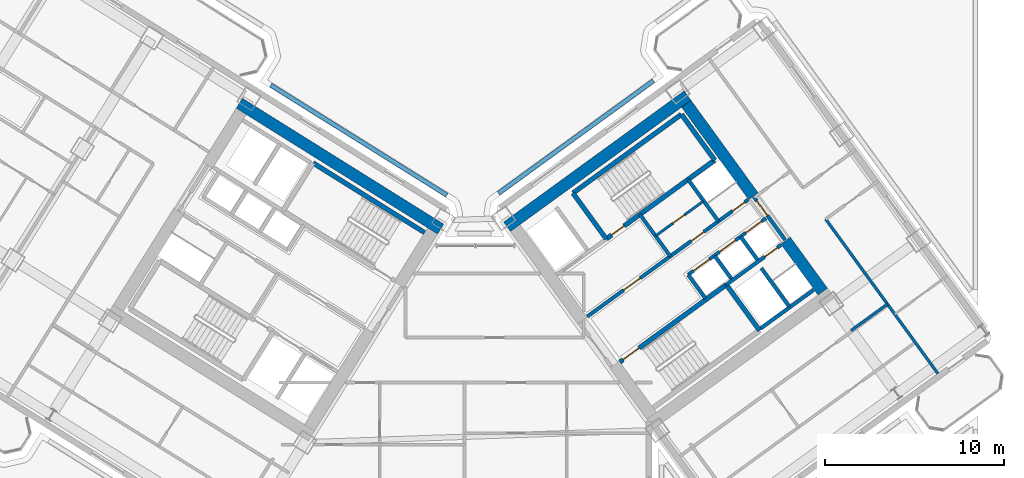
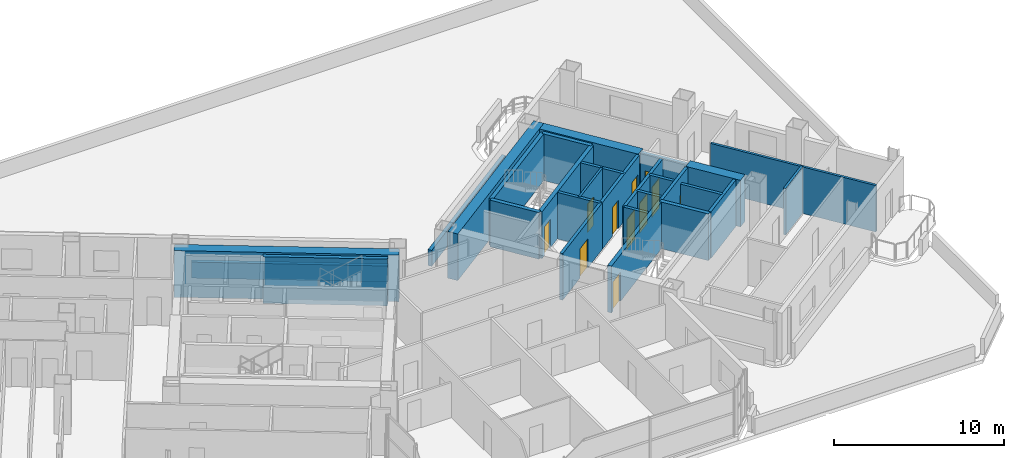
# One storey, part 19 of 28: 28 walls, 11 doors, 11 openings.
"""IFC4 building model written with IfcOpenShell, lengths in metres."""

from ifc_helpers import new_model, si_unit, direction, frame, frame_2d, origin, place, context, subcontext, project, spatial, rectangle, extrude, source, transform, mapped, material, layer, layer_set, type_object, element, fill, save


model = new_model("IFC4")

# Units and contexts
model_context = context("Model", 3, precision=1e-05, world=origin(), true_north=direction((0.0, 1.0)))
body_context = subcontext(model_context, "Body", "Model", "MODEL_VIEW")
ifc_project = project(units=[si_unit("LENGTHUNIT", "METRE"), si_unit("AREAUNIT", "SQUARE_METRE"), si_unit("VOLUMEUNIT", "CUBIC_METRE"), si_unit("PLANEANGLEUNIT", "RADIAN"), si_unit("MASSUNIT", "GRAM", prefix="KILO")], contexts=[model_context])

# Site, building, storey
site_placement = place(None, origin())
site = spatial("IfcSite", under=ifc_project, at=site_placement, CompositionType="ELEMENT")
building_placement = place(site_placement, origin())
building = spatial("IfcBuilding", under=site, at=building_placement, Name="Tlacorven Tower", CompositionType="ELEMENT")
storey_placement = place(building_placement, frame((0.0, 0.0, 24.0)))
storey = spatial("IfcBuildingStorey", under=building, at=storey_placement, Name="L05", CompositionType="ELEMENT", Elevation=24.0)

# Walls
ifc_material_1 = material(Name="Concrete C60/75", Category="concrete")
ifc_layer_1 = layer(ifc_material_1, 0.64990234375)
ifc_layer_set_1 = layer_set([ifc_layer_1], Name="Concrete C60/75")
wall_type_1 = type_object("IfcWallType", Name="WL-COR-650", PredefinedType="SHEAR", material=ifc_layer_set_1)
wall_1_placement = place(storey_placement, frame((40.615478515625, 23.9833984375, 0.0), z_axis=(0.0, 0.0, 1.0), x_axis=(-0.848045953968, 0.529922692436, 0.0)))
element("IfcWall", 1, at=wall_1_placement, inside=storey, type_object=wall_type_1, Name="L05 W core shear wall S1", PredefinedType="SHEAR", context=body_context, shape_type="SweptSolid", body=[
    extrude(rectangle(XDim=13.239990234375, YDim=0.64990234375, at=frame_2d((6.6201171875, 0.0))), origin(), (0.0, 0.0, 1.0), 3.35009765625),
])
wall_2_placement = place(storey_placement, frame((44.32470703125, 24.113037109375, 0.0), z_axis=(0.0, 0.0, 1.0), x_axis=(0.809012664862, 0.58779121131, 0.0)))
element("IfcWall", 2, at=wall_2_placement, inside=storey, type_object=wall_type_1, Name="L05 E core shear wall S2", PredefinedType="SHEAR", context=body_context, shape_type="SweptSolid", body=[
    extrude(rectangle(XDim=12.439697265625, YDim=0.64990234375, at=frame_2d((6.2197265625, 0.0))), origin(), (0.0, 0.0, 1.0), 3.35009765625),
])
wall_3_placement = place(storey_placement, frame((61.9287109375, 20.494384765625, 0.0), z_axis=(0.0, 0.0, 1.0), x_axis=(-0.58782982593, 0.808984607855, 0.0)))
element("IfcWall", 3, at=wall_3_placement, inside=storey, type_object=wall_type_1, Name="L05 E core end wall E2.1", PredefinedType="SHEAR", context=body_context, shape_type="SweptSolid", body=[
    extrude(rectangle(XDim=3.52490234375, YDim=0.64990234375, at=frame_2d((1.762451171875, 0.0))), origin(), (0.0, 0.0, 1.0), 3.35009765625),
])
wall_4_placement = place(storey_placement, frame((58.06396484375, 25.8134765625, 0.0), z_axis=(0.0, 0.0, 1.0), x_axis=(-0.58777996584, 0.809020835181, 0.0)))
element("IfcWall", 4, at=wall_4_placement, inside=storey, type_object=wall_type_1, Name="L05 E core end wall E2.2", PredefinedType="SHEAR", context=body_context, shape_type="SweptSolid", body=[
    extrude(rectangle(XDim=6.375, YDim=0.64990234375, at=frame_2d((3.1875, 0.0))), origin(), (0.0, 0.0, 1.0), 3.35009765625),
])
ifc_material_2 = material(Name="Gypsum plasterboard acoustic partition", Category="gypsum")
ifc_layer_2 = layer(ifc_material_2, 0.159912109375)
ifc_layer_set_2 = layer_set([ifc_layer_2], Name="Gypsum plasterboard acoustic partition")
wall_type_2 = type_object("IfcWallType", Name="WL-DEM-160", PredefinedType="PARTITIONING", material=ifc_layer_set_2)
wall_5_placement = place(storey_placement, frame((63.5068359375, 18.322021484375, 0.0), z_axis=(0.0, 0.0, 1.0), x_axis=(0.809034604122, 0.587761013791, 0.0)))
element("IfcWall", 5, at=wall_5_placement, inside=storey, type_object=wall_type_2, Name="L05 partition 90", PredefinedType="PARTITIONING", context=body_context, shape_type="SweptSolid", body=[
    extrude(rectangle(XDim=2.510009765625, YDim=0.159912109375, at=frame_2d((1.2548828125, 0.0))), origin(), (0.0, 0.0, 1.0), 3.340087890625),
])
wall_6_placement = place(storey_placement, frame((68.35302734375, 15.922119140625, 0.0), z_axis=(0.0, 0.0, 1.0), x_axis=(-0.587783168305, 0.809018508476, 0.0)))
element("IfcWall", 6, at=wall_6_placement, inside=storey, type_object=wall_type_2, Name="L05 partition 92", PredefinedType="PARTITIONING", context=body_context, shape_type="SweptSolid", body=[
    extrude(rectangle(XDim=10.650146484375, YDim=0.159912109375, at=frame_2d((5.3251953125, 0.0))), origin(), (0.0, 0.0, 1.0), 3.340087890625),
])
ifc_material_3 = material(Name="Precast concrete C45/55", Category="concrete")
ifc_layer_3 = layer(ifc_material_3, 0.239990234375)
ifc_layer_set_3 = layer_set([ifc_layer_3], Name="Precast concrete C45/55")
wall_type_3 = type_object("IfcWallType", Name="WL-PAR-240", PredefinedType="PARAPET", material=ifc_layer_set_3)
wall_7_placement = place(storey_placement, frame((52.483154296875, 32.2529296875, 0.0), z_axis=(0.0, 0.0, 1.0), x_axis=(-0.809025796011, -0.58777313769, 0.0)))
element("IfcWall", 7, at=wall_7_placement, inside=storey, type_object=wall_type_3, Name="L05 Podium Setback Parapet 1 10", PredefinedType="PARAPET", context=body_context, shape_type="SweptSolid", body=[
    extrude(rectangle(XDim=10.673583984375, YDim=0.239990234375, at=frame_2d((5.3369140625, 0.0))), origin(), (0.0, 0.0, 1.0), 1.14990234375),
])
wall_8_placement = place(storey_placement, frame((40.9609375, 25.87841796875, 0.0), z_axis=(0.0, 0.0, 1.0), x_axis=(-0.848053997745, 0.5299098196, 0.0)))
element("IfcWall", 8, at=wall_8_placement, inside=storey, type_object=wall_type_3, Name="L05 Podium Setback Parapet 1 12", PredefinedType="PARAPET", context=body_context, shape_type="SweptSolid", body=[
    extrude(rectangle(XDim=11.57373046875, YDim=0.239990234375, at=frame_2d((5.786865234375, 0.0))), origin(), (0.0, 0.0, 1.0), 1.14990234375),
])

# Wall, opening, door
ifc_material_4 = material(Name="Moisture-resistant gypsum plumbing wall", Category="gypsum")
ifc_layer_4 = layer(ifc_material_4, 0.139892578125)
ifc_layer_set_4 = layer_set([ifc_layer_4], Name="Moisture-resistant gypsum plumbing wall")
wall_type_4 = type_object("IfcWallType", Name="WL-PLM-140", PredefinedType="PLUMBINGWALL", material=ifc_layer_set_4)
wall_9_placement = place(storey_placement, frame((52.617919921875, 23.612060546875, 0.0), z_axis=(0.0, 0.0, 1.0), x_axis=(0.809009587469, 0.587795446889, 0.0)))
wall_9 = element("IfcWall", 9, at=wall_9_placement, inside=storey, type_object=wall_type_4, Name="L05 partition 45", PredefinedType="PLUMBINGWALL", context=body_context, shape_type="SweptSolid", body=[
    extrude(rectangle(XDim=3.280029296875, YDim=0.139892578125, at=frame_2d((1.64013671875, 0.0))), origin(), (0.0, 0.0, 1.0), 3.340087890625),
])
opening_1_placement = place(wall_9_placement, frame((1.199951171875, 0.0, 0.0)))
opening_1 = element("IfcOpeningElement", 10, at=opening_1_placement, cuts=wall_9, Name="Opening D22", PredefinedType="OPENING", context=body_context, shape_type="SweptSolid", body=[
    extrude(rectangle(XDim=0.780029296875, YDim=2.050048828125, at=frame_2d((0.39013671875, 1.02490234375))), frame((0.0, 0.080078125, 0.0), z_axis=(0.0, -1.0, 0.0), x_axis=(1.0, 0.0, 0.0)), (0.0, 0.0, 1.0), 0.159912109375),
])
ifc_material_5 = material(Name="Powder-coated aluminium and timber door", Category="wood")
door_type_1 = type_object("IfcDoorType", Name="DR-INT-WET-0780", OperationType="NOTDEFINED", PredefinedType="DOOR", material=ifc_material_5)
shared_shape_1 = source(origin(), body_context, "Body", "SweptSolid", [
    extrude(rectangle(XDim=0.780029296875, YDim=2.050048828125, at=frame_2d((0.39013671875, 1.02490234375))), frame((0.0, 0.02490234375, 0.0), z_axis=(0.0, -1.0, 0.0), x_axis=(1.0, 0.0, 0.0)), (0.0, 0.0, 1.0), 0.050048828125),
])
door_1_placement = place(opening_1_placement, origin())
door_1 = element("IfcDoor", 11, at=door_1_placement, inside=storey, type_object=door_type_1, Name="L05 door 018", OperationType="SINGLE_SWING_RIGHT", OverallHeight=2.050048828125, OverallWidth=0.780029296875, PredefinedType="DOOR", context=body_context, shape_type="MappedRepresentation", body=[
    mapped(shared_shape_1, transform((0.0, 0.0, 0.0), scale=1.0)),
])
fill(opening_1, door_1)

ifc_material_6 = material(Name="Concrete C40/50", Category="concrete")
ifc_layer_5 = layer(ifc_material_6, 0.199951171875)
ifc_layer_set_5 = layer_set([ifc_layer_5], Name="Concrete C40/50")
wall_type_5 = type_object("IfcWallType", Name="WL-SHF-200", PredefinedType="STANDARD", material=ifc_layer_set_5)
wall_10_placement = place(storey_placement, frame((48.798828125, 19.106689453125, 0.0), z_axis=(0.0, 0.0, 1.0), x_axis=(0.809012959416, 0.587790805897, 0.0)))
wall_10 = element("IfcWall", 12, at=wall_10_placement, inside=storey, type_object=wall_type_5, Name="L05 Core E Smoke Lobby Wall", PredefinedType="STANDARD", context=body_context, shape_type="SweptSolid", body=[
    extrude(rectangle(XDim=5.7177734375, YDim=0.199951171875, at=frame_2d((2.85888671875, 0.0))), origin(), (0.0, 0.0, 1.0), 3.340087890625),
])
opening_2_placement = place(wall_10_placement, frame((2.498046875, 0.0, 0.0)))
opening_2 = element("IfcOpeningElement", 13, at=opening_2_placement, cuts=wall_10, Name="Opening D09", PredefinedType="OPENING", context=body_context, shape_type="SweptSolid", body=[
    extrude(rectangle(XDim=1.14990234375, YDim=2.10009765625, at=frame_2d((0.574951171875, 1.050048828125))), frame((0.0, 0.10986328125, 0.0), z_axis=(0.0, -1.0, 0.0), x_axis=(1.0, 0.0, 0.0)), (0.0, 0.0, 1.0), 0.219970703125),
])
ifc_material_7 = material(Name="Fire-rated steel door assembly", Category="steel")
door_type_2 = type_object("IfcDoorType", Name="DR-FFL-FD60-1150", OperationType="NOTDEFINED", PredefinedType="DOOR", material=ifc_material_7)
shared_shape_2 = source(origin(), body_context, "Body", "SweptSolid", [
    extrude(rectangle(XDim=1.14990234375, YDim=2.10009765625, at=frame_2d((0.574951171875, 1.050048828125))), frame((0.0, 0.02490234375, 0.0), z_axis=(0.0, -1.0, 0.0), x_axis=(1.0, 0.0, 0.0)), (0.0, 0.0, 1.0), 0.050048828125),
])
door_2_placement = place(opening_2_placement, origin())
door_2 = element("IfcDoor", 14, at=door_2_placement, inside=storey, type_object=door_type_2, Name="L05 Firefighting Lobby E Fire Door", OperationType="SINGLE_SWING_RIGHT", OverallHeight=2.10009765625, OverallWidth=1.14990234375, PredefinedType="DOOR", context=body_context, shape_type="MappedRepresentation", body=[
    mapped(shared_shape_2, transform((0.0, 0.0, 0.0), scale=1.0)),
])
fill(opening_2, door_2)

wall_11_placement = place(storey_placement, frame((56.552978515625, 20.884033203125, 0.0), z_axis=(0.0, 0.0, 1.0), x_axis=(0.809035789462, 0.587759382205, 0.0)))
wall_11 = element("IfcWall", 15, at=wall_11_placement, inside=storey, type_object=wall_type_5, Name="L05 Core E South Lift Shaft Wall", PredefinedType="STANDARD", context=body_context, shape_type="SweptSolid", body=[
    extrude(rectangle(XDim=3.767822265625, YDim=0.199951171875, at=frame_2d((1.8837890625, 0.0))), origin(), (0.0, 0.0, 1.0), 3.340087890625),
])
opening_3_placement = place(wall_11_placement, frame((2.64990234375, 0.0, 0.0)))
opening_3 = element("IfcOpeningElement", 16, at=opening_3_placement, cuts=wall_11, Name="Opening D19", PredefinedType="OPENING", context=body_context, shape_type="SweptSolid", body=[
    extrude(rectangle(XDim=0.860107421875, YDim=2.050048828125, at=frame_2d((0.43017578125, 1.02490234375))), frame((0.0, 0.10986328125, 0.0), z_axis=(0.0, -1.0, 0.0), x_axis=(1.0, 0.0, 0.0)), (0.0, 0.0, 1.0), 0.219970703125),
])
door_type_3 = type_object("IfcDoorType", Name="DR-RSR-FD60-0860", OperationType="NOTDEFINED", PredefinedType="DOOR", material=ifc_material_7)
shared_shape_3 = source(origin(), body_context, "Body", "SweptSolid", [
    extrude(rectangle(XDim=0.860107421875, YDim=2.050048828125, at=frame_2d((0.43017578125, 1.02490234375))), frame((0.0, 0.02490234375, 0.0), z_axis=(0.0, -1.0, 0.0), x_axis=(1.0, 0.0, 0.0)), (0.0, 0.0, 1.0), 0.050048828125),
])
door_3_placement = place(opening_3_placement, origin())
door_3 = element("IfcDoor", 17, at=door_3_placement, inside=storey, type_object=door_type_3, Name="L05 Smoke Extract Riser Access Door", OperationType="SINGLE_SWING_LEFT", OverallHeight=2.050048828125, OverallWidth=0.860107421875, PredefinedType="DOOR", context=body_context, shape_type="MappedRepresentation", body=[
    mapped(shared_shape_3, transform((0.0, 0.0, 0.0), scale=1.0)),
])
fill(opening_3, door_3)

# Wall, openings, doors
wall_12_placement = place(storey_placement, frame((54.421142578125, 21.436279296875, 0.0), z_axis=(0.0, 0.0, 1.0), x_axis=(0.809013710463, 0.587789772183, 0.0)))
wall_12 = element("IfcWall", 18, at=wall_12_placement, inside=storey, type_object=wall_type_5, Name="L05 partition 33", PredefinedType="STANDARD", context=body_context, shape_type="SweptSolid", body=[
    extrude(rectangle(XDim=5.360107421875, YDim=0.199951171875, at=frame_2d((2.68017578125, 0.0))), origin(), (0.0, 0.0, 1.0), 3.340087890625),
])
opening_4_placement = place(wall_12_placement, frame((0.3701171875, 0.0, 0.0)))
opening_4 = element("IfcOpeningElement", 19, at=opening_4_placement, cuts=wall_12, Name="Opening LD01", PredefinedType="OPENING", context=body_context, shape_type="SweptSolid", body=[
    extrude(rectangle(XDim=1.10009765625, YDim=2.14990234375, at=frame_2d((0.550048828125, 1.074951171875))), frame((0.0, 0.10986328125, 0.0), z_axis=(0.0, -1.0, 0.0), x_axis=(1.0, 0.0, 0.0)), (0.0, 0.0, 1.0), 0.219970703125),
])
opening_5_placement = place(wall_12_placement, frame((2.169921875, 0.0, 0.0)))
opening_5 = element("IfcOpeningElement", 20, at=opening_5_placement, cuts=wall_12, Name="Opening LD01", PredefinedType="OPENING", context=body_context, shape_type="SweptSolid", body=[
    extrude(rectangle(XDim=1.10009765625, YDim=2.14990234375, at=frame_2d((0.550048828125, 1.074951171875))), frame((0.0, 0.10986328125, 0.0), z_axis=(0.0, -1.0, 0.0), x_axis=(1.0, 0.0, 0.0)), (0.0, 0.0, 1.0), 0.219970703125),
])
opening_6_placement = place(wall_12_placement, frame((3.969970703125, 0.0, 0.0)))
opening_6 = element("IfcOpeningElement", 21, at=opening_6_placement, cuts=wall_12, Name="Opening LD01", PredefinedType="OPENING", context=body_context, shape_type="SweptSolid", body=[
    extrude(rectangle(XDim=1.10009765625, YDim=2.14990234375, at=frame_2d((0.550048828125, 1.074951171875))), frame((0.0, 0.10986328125, 0.0), z_axis=(0.0, -1.0, 0.0), x_axis=(1.0, 0.0, 0.0)), (0.0, 0.0, 1.0), 0.219970703125),
])
door_type_4 = type_object("IfcDoorType", Name="DR-LFT-SLID-1100", OperationType="DOUBLE_DOOR_SLIDING", PredefinedType="DOOR", material=ifc_material_7)
shared_shape_4 = source(origin(), body_context, "Body", "SweptSolid", [
    extrude(rectangle(XDim=1.10009765625, YDim=2.14990234375, at=frame_2d((0.550048828125, 1.074951171875))), frame((0.0, 0.02490234375, 0.0), z_axis=(0.0, -1.0, 0.0), x_axis=(1.0, 0.0, 0.0)), (0.0, 0.0, 1.0), 0.050048828125),
])
door_4_placement = place(opening_4_placement, origin())
door_4 = element("IfcDoor", 22, at=door_4_placement, inside=storey, type_object=door_type_4, Name="L05 Lift PL-L1 Sliding Landing Door", OperationType="DOUBLE_DOOR_SLIDING", OverallHeight=2.14990234375, OverallWidth=1.10009765625, PredefinedType="DOOR", context=body_context, shape_type="MappedRepresentation", body=[
    mapped(shared_shape_4, transform((0.0, 0.0, 0.0), scale=1.0)),
])
fill(opening_4, door_4)
door_5_placement = place(opening_5_placement, origin())
door_5 = element("IfcDoor", 23, at=door_5_placement, inside=storey, type_object=door_type_4, Name="L05 Lift PL-L2 Sliding Landing Door", OperationType="DOUBLE_DOOR_SLIDING", OverallHeight=2.14990234375, OverallWidth=1.10009765625, PredefinedType="DOOR", context=body_context, shape_type="MappedRepresentation", body=[
    mapped(shared_shape_4, transform((0.0, 0.0, 0.0), scale=1.0)),
])
fill(opening_5, door_5)
door_6_placement = place(opening_6_placement, origin())
door_6 = element("IfcDoor", 24, at=door_6_placement, inside=storey, type_object=door_type_4, Name="L05 Lift PL-L3 Sliding Landing Door", OperationType="DOUBLE_DOOR_SLIDING", OverallHeight=2.14990234375, OverallWidth=1.10009765625, PredefinedType="DOOR", context=body_context, shape_type="MappedRepresentation", body=[
    mapped(shared_shape_4, transform((0.0, 0.0, 0.0), scale=1.0)),
])
fill(opening_6, door_6)

# Walls
wall_13_placement = place(storey_placement, frame((55.390869140625, 20.1015625, 0.0), z_axis=(0.0, 0.0, 1.0), x_axis=(-0.58778447739, 0.809017557374, 0.0)))
element("IfcWall", 25, at=wall_13_placement, inside=storey, type_object=wall_type_5, Name="L05 partition 34", PredefinedType="STANDARD", context=body_context, shape_type="SweptSolid", body=[
    extrude(rectangle(XDim=1.64990234375, YDim=0.199951171875, at=frame_2d((0.824951171875, 0.0))), origin(), (0.0, 0.0, 1.0), 3.340087890625),
])
wall_14_placement = place(storey_placement, frame((56.833984375, 21.211669921875, 0.0), z_axis=(0.0, 0.0, 1.0), x_axis=(-0.58776738483, 0.809029975545, 0.0)))
element("IfcWall", 26, at=wall_14_placement, inside=storey, type_object=wall_type_5, Name="L05 partition 36", PredefinedType="STANDARD", context=body_context, shape_type="SweptSolid", body=[
    extrude(rectangle(XDim=1.580078125, YDim=0.199951171875, at=frame_2d((0.7900390625, 0.0))), origin(), (0.0, 0.0, 1.0), 3.340087890625),
])
wall_15_placement = place(storey_placement, frame((58.290283203125, 22.269775390625, 0.0), z_axis=(0.0, 0.0, 1.0), x_axis=(-0.587840865826, 0.808976585857, 0.0)))
element("IfcWall", 27, at=wall_15_placement, inside=storey, type_object=wall_type_5, Name="L05 partition 37", PredefinedType="STANDARD", context=body_context, shape_type="SweptSolid", body=[
    extrude(rectangle(XDim=1.579833984375, YDim=0.199951171875, at=frame_2d((0.7900390625, 0.0))), origin(), (0.0, 0.0, 1.0), 3.340087890625),
])
wall_16_placement = place(storey_placement, frame((60.066650390625, 19.654541015625, 0.0), z_axis=(0.0, 0.0, 1.0), x_axis=(-0.587800520745, 0.809005900975, 0.0)))
element("IfcWall", 28, at=wall_16_placement, inside=storey, type_object=wall_type_5, Name="L05 partition 38", PredefinedType="STANDARD", context=body_context, shape_type="SweptSolid", body=[
    extrude(rectangle(XDim=2.659912109375, YDim=0.199951171875, at=frame_2d((1.330078125, 0.0))), origin(), (0.0, 0.0, 1.0), 3.340087890625),
])
wall_17_placement = place(storey_placement, frame((58.47216796875, 18.446533203125, 0.0), z_axis=(0.0, 0.0, 1.0), x_axis=(0.809022487728, 0.587777691266, 0.0)))
element("IfcWall", 29, at=wall_17_placement, inside=storey, type_object=wall_type_5, Name="L05 partition 40", PredefinedType="STANDARD", context=body_context, shape_type="SweptSolid", body=[
    extrude(rectangle(XDim=3.648193359375, YDim=0.199951171875, at=frame_2d((1.82421875, 0.0))), origin(), (0.0, 0.0, 1.0), 3.340087890625),
])
wall_18_placement = place(storey_placement, frame((53.424560546875, 22.467529296875, 0.0), z_axis=(0.0, 0.0, 1.0), x_axis=(-0.5877230039, 0.809062216821, 0.0)))
element("IfcWall", 30, at=wall_18_placement, inside=storey, type_object=wall_type_5, Name="L05 partition 42", PredefinedType="STANDARD", context=body_context, shape_type="SweptSolid", body=[
    extrude(rectangle(XDim=2.8798828125, YDim=0.199951171875, at=frame_2d((1.43994140625, 0.0))), origin(), (0.0, 0.0, 1.0), 3.340087890625),
])
wall_19_placement = place(storey_placement, frame((56.110595703125, 24.4189453125, 0.0), z_axis=(0.0, 0.0, 1.0), x_axis=(-0.58777848983, 0.809021907548, 0.0)))
element("IfcWall", 31, at=wall_19_placement, inside=storey, type_object=wall_type_5, Name="L05 partition 43", PredefinedType="STANDARD", context=body_context, shape_type="SweptSolid", body=[
    extrude(rectangle(XDim=2.880126953125, YDim=0.199951171875, at=frame_2d((1.43994140625, 0.0))), origin(), (0.0, 0.0, 1.0), 3.340087890625),
])

# Wall, openings, doors
wall_20_placement = place(storey_placement, frame((53.424560546875, 22.467529296875, 0.0), z_axis=(0.0, 0.0, 1.0), x_axis=(0.80902705128, 0.587771409902, 0.0)))
wall_20 = element("IfcWall", 32, at=wall_20_placement, inside=storey, type_object=wall_type_5, Name="L05 Core E North Service Wall", PredefinedType="STANDARD", context=body_context, shape_type="SweptSolid", body=[
    extrude(rectangle(XDim=5.3681640625, YDim=0.199951171875, at=frame_2d((2.68408203125, 0.0))), origin(), (0.0, 0.0, 1.0), 3.340087890625),
])
opening_7_placement = place(wall_20_placement, frame((4.280029296875, 0.0, 0.0)))
opening_7 = element("IfcOpeningElement", 33, at=opening_7_placement, cuts=wall_20, Name="Opening D19", PredefinedType="OPENING", context=body_context, shape_type="SweptSolid", body=[
    extrude(rectangle(XDim=0.860107421875, YDim=2.050048828125, at=frame_2d((0.43017578125, 1.02490234375))), frame((0.0, 0.10986328125, 0.0), z_axis=(0.0, -1.0, 0.0), x_axis=(1.0, 0.0, 0.0)), (0.0, 0.0, 1.0), 0.219970703125),
])
opening_8_placement = place(wall_20_placement, frame((1.449951171875, 0.0, 0.0)))
opening_8 = element("IfcOpeningElement", 34, at=opening_8_placement, cuts=wall_20, Name="Opening D19", PredefinedType="OPENING", context=body_context, shape_type="SweptSolid", body=[
    extrude(rectangle(XDim=0.860107421875, YDim=2.050048828125, at=frame_2d((0.43017578125, 1.02490234375))), frame((0.0, 0.10986328125, 0.0), z_axis=(0.0, -1.0, 0.0), x_axis=(1.0, 0.0, 0.0)), (0.0, 0.0, 1.0), 0.219970703125),
])
door_7_placement = place(opening_7_placement, frame((0.860107421875, 0.0, 0.0), z_axis=(0.0, 0.0, 1.0), x_axis=(-1.0, 0.0, 0.0)))
door_7 = element("IfcDoor", 35, at=door_7_placement, inside=storey, type_object=door_type_3, Name="L05 Electrical Riser Access Door E", OperationType="SINGLE_SWING_RIGHT", OverallHeight=2.050048828125, OverallWidth=0.860107421875, PredefinedType="DOOR", context=body_context, shape_type="MappedRepresentation", body=[
    mapped(shared_shape_3, transform((0.0, 0.0, 0.0), scale=1.0)),
])
fill(opening_7, door_7)
door_8_placement = place(opening_8_placement, frame((0.860107421875, 0.0, 0.0), z_axis=(0.0, 0.0, 1.0), x_axis=(-1.0, 0.0, 0.0)))
door_8 = element("IfcDoor", 36, at=door_8_placement, inside=storey, type_object=door_type_3, Name="L05 Cleaner Store Access Door E", OperationType="SINGLE_SWING_LEFT", OverallHeight=2.050048828125, OverallWidth=0.860107421875, PredefinedType="DOOR", context=body_context, shape_type="MappedRepresentation", body=[
    mapped(shared_shape_3, transform((0.0, 0.0, 0.0), scale=1.0)),
])
fill(opening_8, door_8)

# Wall, opening, door
wall_21_placement = place(storey_placement, frame((59.827392578125, 23.386474609375, 0.0), z_axis=(0.0, 0.0, 1.0), x_axis=(-0.587803840107, 0.809003489211, 0.0)))
wall_21 = element("IfcWall", 37, at=wall_21_placement, inside=storey, type_object=wall_type_5, Name="L05 partition 89", PredefinedType="STANDARD", context=body_context, shape_type="SweptSolid", body=[
    extrude(rectangle(XDim=2.960205078125, YDim=0.199951171875, at=frame_2d((1.47998046875, 0.0))), origin(), (0.0, 0.0, 1.0), 3.340087890625),
])
opening_9_placement = place(wall_21_placement, frame((1.679931640625, 0.0, 0.0)))
opening_9 = element("IfcOpeningElement", 38, at=opening_9_placement, cuts=wall_21, Name="Opening D11", PredefinedType="OPENING", context=body_context, shape_type="SweptSolid", body=[
    extrude(rectangle(XDim=1.0, YDim=2.10009765625, at=frame_2d((0.5, 1.050048828125))), frame((0.0, 0.10986328125, 0.0), z_axis=(0.0, -1.0, 0.0), x_axis=(1.0, 0.0, 0.0)), (0.0, 0.0, 1.0), 0.219970703125),
])
door_type_5 = type_object("IfcDoorType", Name="DR-FLT-FD60-1000", OperationType="NOTDEFINED", PredefinedType="DOOR", material=ifc_material_7)
shared_shape_5 = source(origin(), body_context, "Body", "SweptSolid", [
    extrude(rectangle(XDim=1.0, YDim=2.10009765625, at=frame_2d((0.5, 1.050048828125))), frame((0.0, 0.02490234375, 0.0), z_axis=(0.0, -1.0, 0.0), x_axis=(1.0, 0.0, 0.0)), (0.0, 0.0, 1.0), 0.050048828125),
])
door_9_placement = place(opening_9_placement, origin())
door_9 = element("IfcDoor", 39, at=door_9_placement, inside=storey, type_object=door_type_5, Name="L05 door 055", OperationType="SINGLE_SWING_RIGHT", OverallHeight=2.10009765625, OverallWidth=1.0, PredefinedType="DOOR", context=body_context, shape_type="MappedRepresentation", body=[
    mapped(shared_shape_5, transform((0.0, 0.0, 0.0), scale=1.0)),
])
fill(opening_9, door_9)

# Walls
ifc_material_8 = material(Name="Concrete C50/60", Category="concrete")
ifc_layer_6 = layer(ifc_material_8, 0.260009765625)
ifc_layer_set_6 = layer_set([ifc_layer_6], Name="Concrete C50/60")
wall_type_6 = type_object("IfcWallType", Name="WL-STW-260", PredefinedType="SHEAR", material=ifc_layer_set_6)
wall_22_placement = place(storey_placement, frame((39.720947265625, 23.787841796875, 0.0), z_axis=(0.0, 0.0, 1.0), x_axis=(-0.848054434086, 0.529909121291, 0.0)))
element("IfcWall", 40, at=wall_22_placement, inside=storey, type_object=wall_type_6, Name="L05 Stair W2 Far Shear Wall", PredefinedType="SHEAR", context=body_context, shape_type="SweptSolid", body=[
    extrude(rectangle(XDim=7.330078125, YDim=0.260009765625, at=frame_2d((3.6650390625, 0.0))), origin(), (0.0, 0.0, 1.0), 3.35009765625),
])
wall_23_placement = place(storey_placement, frame((48.005615234375, 25.996337890625, 0.0), z_axis=(0.0, 0.0, 1.0), x_axis=(0.80901903764, 0.587782439969, 0.0)))
element("IfcWall", 41, at=wall_23_placement, inside=storey, type_object=wall_type_6, Name="L05 Stair E1 Far Shear Wall", PredefinedType="SHEAR", context=body_context, shape_type="SweptSolid", body=[
    extrude(rectangle(XDim=7.4599609375, YDim=0.260009765625, at=frame_2d((3.72998046875, 0.0))), origin(), (0.0, 0.0, 1.0), 3.35009765625),
])

# Wall, opening, door
wall_24_placement = place(storey_placement, frame((49.863037109375, 23.439697265625, 0.0), z_axis=(0.0, 0.0, 1.0), x_axis=(0.809003474932, 0.587803859759, 0.0)))
wall_24 = element("IfcWall", 42, at=wall_24_placement, inside=storey, type_object=wall_type_6, Name="L05 Stair E1 Lobby Shear Wall", PredefinedType="SHEAR", context=body_context, shape_type="SweptSolid", body=[
    extrude(rectangle(XDim=7.4599609375, YDim=0.260009765625, at=frame_2d((3.72998046875, 0.0))), origin(), (0.0, 0.0, 1.0), 3.35009765625),
])
opening_10_placement = place(wall_24_placement, frame((0.360107421875, 0.0, 0.0)))
opening_10 = element("IfcOpeningElement", 43, at=opening_10_placement, cuts=wall_24, Name="Opening D19", PredefinedType="OPENING", context=body_context, shape_type="SweptSolid", body=[
    extrude(rectangle(XDim=0.860107421875, YDim=2.050048828125, at=frame_2d((0.43017578125, 1.02490234375))), frame((0.0, 0.14013671875, 0.0), z_axis=(0.0, -1.0, 0.0), x_axis=(1.0, 0.0, 0.0)), (0.0, 0.0, 1.0), 0.280029296875),
])
door_10_placement = place(opening_10_placement, frame((0.860107421875, 0.0, 0.0), z_axis=(0.0, 0.0, 1.0), x_axis=(-1.0, 0.0, 0.0)))
door_10 = element("IfcDoor", 44, at=door_10_placement, inside=storey, type_object=door_type_3, Name="L05 Exit Stair E1 Fire Door", OperationType="SINGLE_SWING_LEFT", OverallHeight=2.050048828125, OverallWidth=0.860107421875, PredefinedType="DOOR", context=body_context, shape_type="MappedRepresentation", body=[
    mapped(shared_shape_3, transform((0.0, 0.0, 0.0), scale=1.0)),
])
fill(opening_10, door_10)

# Walls
wall_25_placement = place(storey_placement, frame((49.85498046875, 23.433837890625, 0.0), z_axis=(0.0, 0.0, 1.0), x_axis=(-0.58776738483, 0.809029975545, 0.0)))
element("IfcWall", 45, at=wall_25_placement, inside=storey, type_object=wall_type_6, Name="L05 Stair E1 West Shear Wall", PredefinedType="SHEAR", context=body_context, shape_type="SweptSolid", body=[
    extrude(rectangle(XDim=3.16015625, YDim=0.260009765625, at=frame_2d((1.580078125, 0.0))), origin(), (0.0, 0.0, 1.0), 3.35009765625),
])
wall_26_placement = place(storey_placement, frame((55.906494140625, 27.83056640625, 0.0), z_axis=(0.0, 0.0, 1.0), x_axis=(-0.587804123638, 0.809003283204, 0.0)))
element("IfcWall", 46, at=wall_26_placement, inside=storey, type_object=wall_type_6, Name="L05 Stair E1 East Shear Wall", PredefinedType="SHEAR", context=body_context, shape_type="SweptSolid", body=[
    extrude(rectangle(XDim=3.159912109375, YDim=0.260009765625, at=frame_2d((1.580078125, 0.0))), origin(), (0.0, 0.0, 1.0), 3.35009765625),
])

# Wall, opening, door
wall_27_placement = place(storey_placement, frame((50.61474609375, 16.569580078125, 0.0), z_axis=(0.0, 0.0, 1.0), x_axis=(0.809028366311, 0.587769599847, 0.0)))
wall_27 = element("IfcWall", 47, at=wall_27_placement, inside=storey, type_object=wall_type_6, Name="L05 Stair E2 Lobby Shear Wall", PredefinedType="SHEAR", context=body_context, shape_type="SweptSolid", body=[
    extrude(rectangle(XDim=7.330078125, YDim=0.260009765625, at=frame_2d((3.6650390625, 0.0))), origin(), (0.0, 0.0, 1.0), 3.35009765625),
])
opening_11_placement = place(wall_27_placement, frame((0.219970703125, 0.0, 0.0)))
opening_11 = element("IfcOpeningElement", 48, at=opening_11_placement, cuts=wall_27, Name="Opening D07", PredefinedType="OPENING", context=body_context, shape_type="SweptSolid", body=[
    extrude(rectangle(XDim=1.10009765625, YDim=2.10009765625, at=frame_2d((0.550048828125, 1.050048828125))), frame((0.0, 0.14013671875, 0.0), z_axis=(0.0, -1.0, 0.0), x_axis=(1.0, 0.0, 0.0)), (0.0, 0.0, 1.0), 0.280029296875),
])
door_type_6 = type_object("IfcDoorType", Name="DR-STR-FD90-1100", OperationType="NOTDEFINED", PredefinedType="DOOR", material=ifc_material_7)
shared_shape_6 = source(origin(), body_context, "Body", "SweptSolid", [
    extrude(rectangle(XDim=1.10009765625, YDim=2.10009765625, at=frame_2d((0.550048828125, 1.050048828125))), frame((0.0, 0.02490234375, 0.0), z_axis=(0.0, -1.0, 0.0), x_axis=(1.0, 0.0, 0.0)), (0.0, 0.0, 1.0), 0.050048828125),
])
door_11_placement = place(opening_11_placement, origin())
door_11 = element("IfcDoor", 49, at=door_11_placement, inside=storey, type_object=door_type_6, Name="L05 Exit Stair E2 Fire Door", OperationType="SINGLE_SWING_LEFT", OverallHeight=2.10009765625, OverallWidth=1.10009765625, PredefinedType="DOOR", context=body_context, shape_type="MappedRepresentation", body=[
    mapped(shared_shape_6, transform((0.0, 0.0, 0.0), scale=1.0)),
])
fill(opening_11, door_11)

# Wall
wall_28_placement = place(storey_placement, frame((58.410400390625, 18.327392578125, 0.0), z_axis=(0.0, 0.0, 1.0), x_axis=(-0.58776738483, 0.809029975545, 0.0)))
element("IfcWall", 50, at=wall_28_placement, inside=storey, type_object=wall_type_6, Name="L05 Stair E2 East Shear Wall", PredefinedType="SHEAR", context=body_context, shape_type="SweptSolid", body=[
    extrude(rectangle(XDim=3.16015625, YDim=0.260009765625, at=frame_2d((1.580078125, 0.0))), origin(), (0.0, 0.0, 1.0), 3.35009765625),
])

save(model, "model.ifc")
